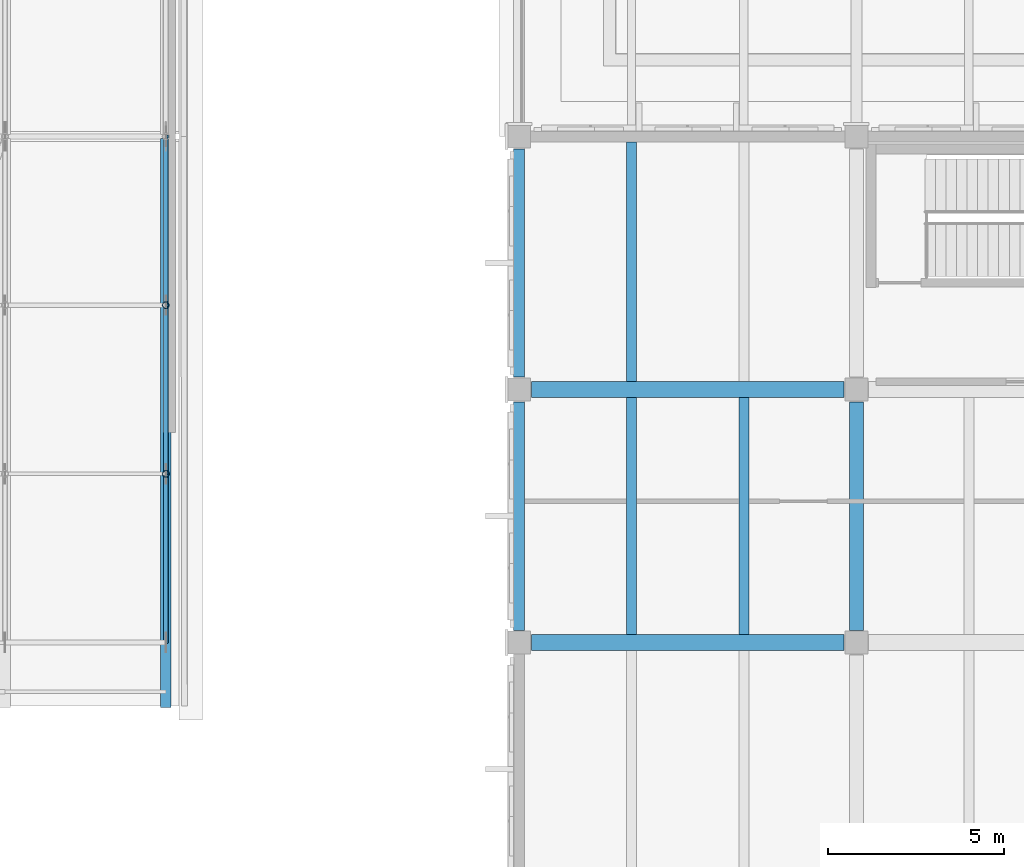
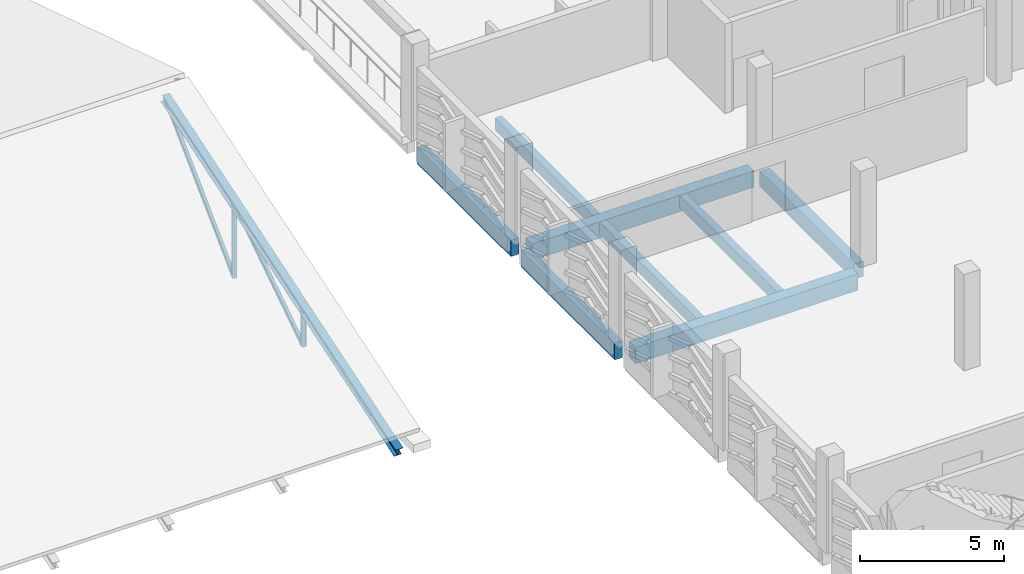
# One storey, part 30 of 134: 8 beams, 6 members.
"""IFC4 building model written with IfcOpenShell, lengths in metres."""

from ifc_helpers import new_model, si_unit, direction, frame, origin, origin_2d, place, context, subcontext, project, spatial, rectangle, hollow_rectangle, hollow_circle, i_section, extrude, material, material_profile, profile_set, type_object, element, save


model = new_model("IFC4")

# Units and contexts
model_context = context("Model", 3, precision=1e-05, world=origin(), true_north=direction((0.0, 1.0)))
body_context = subcontext(model_context, "Body", "Model", "MODEL_VIEW")
ifc_project = project(units=[si_unit("LENGTHUNIT", "METRE"), si_unit("AREAUNIT", "SQUARE_METRE"), si_unit("VOLUMEUNIT", "CUBIC_METRE"), si_unit("PLANEANGLEUNIT", "RADIAN"), si_unit("MASSUNIT", "GRAM", prefix="KILO")], contexts=[model_context])

# Site, building, storey
site_placement = place(None, origin())
site = spatial("IfcSite", under=ifc_project, at=site_placement, CompositionType="ELEMENT")
building_placement = place(site_placement, origin())
building = spatial("IfcBuilding", under=site, at=building_placement, Name="Asteropetra Specialist Clinic", CompositionType="ELEMENT")
storey_placement = place(building_placement, frame((0.0, 0.0, 8.5)))
storey = spatial("IfcBuildingStorey", under=building, at=storey_placement, Name="L02", CompositionType="ELEMENT", Elevation=8.5)

# Beams
ifc_material_1 = material(Name="Concrete C35/45", Category="concrete")
ifc_material_profile_1 = material_profile(ifc_material_1, rectangle(XDim=0.39990234375, YDim=0.64990234375, at=origin_2d()), Name="RCB 400x650")
ifc_profile_set_1 = profile_set([ifc_material_profile_1], Name="Concrete C35/45")
beam_type_1 = type_object("IfcBeamType", Name="BM-RC400x650", PredefinedType="BEAM", material=ifc_profile_set_1)
beam_1_placement = place(storey_placement, frame((115.199951171875, 33.949951171875, -0.625), z_axis=(0.0, 1.0, 0.0), x_axis=(-1.0, 0.0, 0.0)))
element("IfcBeam", 1, at=beam_1_placement, inside=storey, type_object=beam_type_1, Name="Beam BBM07-1218", PredefinedType="BEAM", context=body_context, shape_type="SweptSolid", body=[
    extrude(rectangle(XDim=0.39990234375, YDim=0.64990234375, at=origin_2d()), origin(), (0.0, 0.0, 1.0), 6.5),
])
ifc_material_2 = material(Name="Concrete C35/45", Category="concrete")
ifc_material_profile_2 = material_profile(ifc_material_2, rectangle(XDim=0.449951171875, YDim=0.699951171875, at=origin_2d()), Name="RCB 450x700")
ifc_profile_set_2 = profile_set([ifc_material_profile_2], Name="Concrete C35/45")
beam_type_2 = type_object("IfcBeamType", Name="BM-RC450x700", PredefinedType="BEAM", material=ifc_profile_set_2)
for number, where, z_axis, x_axis, name in (
    (2, (105.949951171875, 33.60009765625, -0.64990234375), (1.0, 0.0, 0.0), (0.0, 1.0, 0.0), "Beam BBM05-1140"),
    (3, (105.949951171875, 40.800048828125, -0.64990234375), (1.0, 0.0, 0.0), (0.0, 1.0, 0.0), "Beam BBM05-1144"),
):
    element("IfcBeam", number, at=place(storey_placement, frame(where, z_axis=z_axis, x_axis=x_axis)), inside=storey, type_object=beam_type_2, Name=name, PredefinedType="BEAM", context=body_context, shape_type="SweptSolid", body=[
        extrude(rectangle(XDim=0.449951171875, YDim=0.699951171875, at=origin_2d()), origin(), (0.0, 0.0, 1.0), 8.900146484375),
    ])
ifc_material_3 = material(Name="Concrete C35/45", Category="concrete")
ifc_material_profile_3 = material_profile(ifc_material_3, rectangle(XDim=0.280029296875, YDim=0.52001953125, at=origin_2d()), Name="RCJ 280x520")
ifc_profile_set_3 = profile_set([ifc_material_profile_3], Name="Concrete C35/45")
beam_type_3 = type_object("IfcBeamType", Name="JST-RC280x520", PredefinedType="JOIST", material=ifc_profile_set_3)
for number, where, z_axis, x_axis, name in (
    (4, (108.800048828125, 33.824951171875, -0.56005859375), (0.0, 1.0, 0.0), (-1.0, 0.0, 0.0), "Joist JJST01-1221"),
    (5, (112.0, 33.824951171875, -0.56005859375), (0.0, 1.0, 0.0), (-1.0, 0.0, 0.0), "Joist JJST01-1222"),
):
    element("IfcBeam", number, at=place(storey_placement, frame(where, z_axis=z_axis, x_axis=x_axis)), inside=storey, type_object=beam_type_3, Name=name, PredefinedType="JOIST", context=body_context, shape_type="SweptSolid", body=[
        extrude(rectangle(XDim=0.280029296875, YDim=0.52001953125, at=origin_2d()), origin(), (0.0, 0.0, 1.0), 6.75),
    ])
beam_2_placement = place(storey_placement, frame((108.800048828125, 41.02490234375, -0.56005859375), z_axis=(0.0, 1.0, 0.0), x_axis=(-1.0, 0.0, 0.0)))
element("IfcBeam", 6, at=beam_2_placement, inside=storey, type_object=beam_type_3, Name="Joist JJST01-1235", PredefinedType="JOIST", context=body_context, shape_type="SweptSolid", body=[
    extrude(rectangle(XDim=0.280029296875, YDim=0.52001953125, at=origin_2d()), origin(), (0.0, 0.0, 1.0), 6.815185546875),
])
ifc_material_4 = material(Name="Concrete C35/45", Category="concrete")
ifc_material_profile_4 = material_profile(ifc_material_4, rectangle(XDim=0.320068359375, YDim=0.699951171875, at=origin_2d()), Name="RCS 320x700")
ifc_profile_set_4 = profile_set([ifc_material_profile_4], Name="Concrete C35/45")
beam_type_4 = type_object("IfcBeamType", Name="SPN-RC320x700", PredefinedType="SPANDREL", material=ifc_profile_set_4)
for number, where, z_axis, x_axis, name in (
    (7, (105.60009765625, 33.949951171875, -0.64990234375), (0.0, 1.0, 0.0), (-1.0, 0.0, 0.0), "Beam BSPN02-1217"),
    (8, (105.60009765625, 41.14990234375, -0.64990234375), (0.0, 1.0, 0.0), (-1.0, 0.0, 0.0), "Beam BSPN02-1229"),
):
    element("IfcBeam", number, at=place(storey_placement, frame(where, z_axis=z_axis, x_axis=x_axis)), inside=storey, type_object=beam_type_4, Name=name, PredefinedType="SPANDREL", context=body_context, shape_type="SweptSolid", body=[
        extrude(rectangle(XDim=0.320068359375, YDim=0.699951171875, at=origin_2d()), origin(), (0.0, 0.0, 1.0), 6.5),
    ])

# Members
ifc_material_5 = material(Name="Steel S355", Category="steel")
ifc_material_profile_5 = material_profile(ifc_material_5, hollow_rectangle(XDim=0.139892578125, YDim=0.139892578125, WallThickness=0.008056640625, InnerFilletRadius=0.008056640625, OuterFilletRadius=0.01611328125, at=origin_2d()), Name="SHS 140x140x8.0")
ifc_profile_set_5 = profile_set([ifc_material_profile_5], Name="Steel S355")
member_type_1 = type_object("IfcMemberType", Name="TR-BRC-SHS140", PredefinedType="BRACE", material=ifc_profile_set_5)
member_1_placement = place(storey_placement, frame((95.550048828125, 33.60009765625, 0.364990234375), z_axis=(0.0, 0.94746672286, 0.319854356034), x_axis=(-1.0, 0.0, 0.0)))
element("IfcMember", 9, at=member_1_placement, inside=storey, type_object=member_type_1, Name="Truss Web Diagonal TRV3-D05-0", PredefinedType="BRACE", context=body_context, shape_type="SweptSolid", body=[
    extrude(hollow_rectangle(XDim=0.139892578125, YDim=0.139892578125, WallThickness=0.008056640625, InnerFilletRadius=0.008056640625, OuterFilletRadius=0.01611328125, at=origin_2d()), origin(), (0.0, 0.0, 1.0), 5.06591796875),
])
member_2_placement = place(storey_placement, frame((95.550048828125, 38.39990234375, 0.364990234375), z_axis=(0.0, 0.835160870884, 0.550005745192), x_axis=(-1.0, 0.0, 0.0)))
element("IfcMember", 10, at=member_2_placement, inside=storey, type_object=member_type_1, Name="Truss Web Diagonal TRV3-D05-1", PredefinedType="BRACE", context=body_context, shape_type="SweptSolid", body=[
    extrude(hollow_rectangle(XDim=0.139892578125, YDim=0.139892578125, WallThickness=0.008056640625, InnerFilletRadius=0.008056640625, OuterFilletRadius=0.01611328125, at=origin_2d()), origin(), (0.0, 0.0, 1.0), 5.74755859375),
])
member_3_placement = place(storey_placement, frame((95.550048828125, 43.199951171875, 0.364990234375), z_axis=(0.0, 0.714372296444, 0.699765833743), x_axis=(-1.0, 0.0, 0.0)))
element("IfcMember", 11, at=member_3_placement, inside=storey, type_object=member_type_1, Name="Truss Web Diagonal TRV3-D05-2", PredefinedType="BRACE", context=body_context, shape_type="SweptSolid", body=[
    extrude(hollow_rectangle(XDim=0.139892578125, YDim=0.139892578125, WallThickness=0.008056640625, InnerFilletRadius=0.008056640625, OuterFilletRadius=0.01611328125, at=origin_2d()), origin(), (0.0, 0.0, 1.0), 6.71923828125),
])
ifc_material_6 = material(Name="Steel S355", Category="steel")
ifc_material_profile_6 = material_profile(ifc_material_6, i_section(OverallWidth=0.300048828125, OverallDepth=0.35009765625, WebThickness=0.010009765625, FlangeThickness=0.017578125, FilletRadius=0.027099609375, at=origin_2d()), Name="HEA 360")
ifc_profile_set_6 = profile_set([ifc_material_profile_6], Name="Steel S355")
member_type_2 = type_object("IfcMemberType", Name="TR-CHD-HEA360", PredefinedType="CHORD", material=ifc_profile_set_6)
member_4_placement = place(storey_placement, frame((95.550048828125, 31.800048828125, -0.13330078125), z_axis=(0.0, 0.952147182359, 0.305639891255), x_axis=(-1.0, 0.0, 0.0)))
element("IfcMember", 12, at=member_4_placement, inside=storey, type_object=member_type_2, Name="Truss South Top Chord TRV3-TCS05", PredefinedType="CHORD", context=body_context, shape_type="SweptSolid", body=[
    extrude(i_section(OverallWidth=0.300048828125, OverallDepth=0.35009765625, WebThickness=0.010009765625, FlangeThickness=0.017578125, FilletRadius=0.027099609375, at=origin_2d()), origin(), (0.0, 0.0, 1.0), 17.01416015625),
])
ifc_material_7 = material(Name="Steel S355", Category="steel")
ifc_material_profile_7 = material_profile(ifc_material_7, hollow_circle(Radius=0.096923828125, WallThickness=0.010009765625, at=origin_2d()), Name="CHS 193.7x10.0")
ifc_profile_set_7 = profile_set([ifc_material_profile_7], Name="Steel S355")
member_type_3 = type_object("IfcMemberType", Name="TR-STR-CHS193", PredefinedType="STRUT", material=ifc_profile_set_7)
member_5_placement = place(storey_placement, frame((95.550048828125, 38.39990234375, 0.364990234375), z_axis=(0.0, 0.0, 1.0), x_axis=(1.0, 0.0, 0.0)))
element("IfcMember", 13, at=member_5_placement, inside=storey, type_object=member_type_3, Name="Truss Web Strut TRV3-V05-1", PredefinedType="STRUT", context=body_context, shape_type="SweptSolid", body=[
    extrude(hollow_circle(Radius=0.096923828125, WallThickness=0.010009765625, at=origin_2d()), origin(), (0.0, 0.0, 1.0), 1.620361328125),
])
member_6_placement = place(storey_placement, frame((95.550048828125, 43.199951171875, 0.364990234375), z_axis=(0.0, 0.0, 1.0), x_axis=(1.0, 0.0, 0.0)))
element("IfcMember", 14, at=member_6_placement, inside=storey, type_object=member_type_3, Name="Truss Web Strut TRV3-V05-2", PredefinedType="STRUT", context=body_context, shape_type="SweptSolid", body=[
    extrude(hollow_circle(Radius=0.096923828125, WallThickness=0.010009765625, at=origin_2d()), origin(), (0.0, 0.0, 1.0), 3.1611328125),
])

save(model, "model.ifc")
